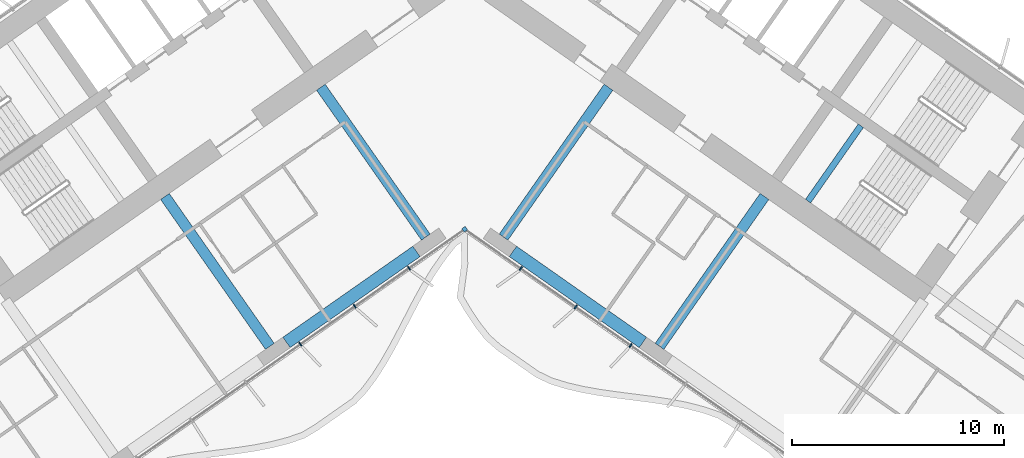
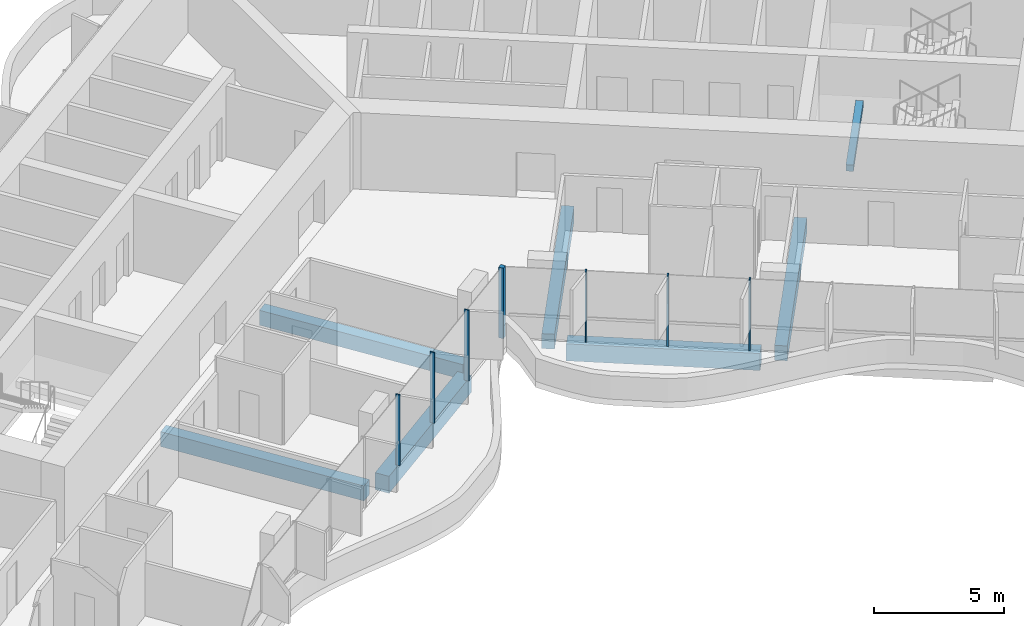
# One storey, part 6 of 23: 7 beams, 7 members, 1 element without a shape of its own.
"""IFC4 building model written with IfcOpenShell, lengths in metres."""

from ifc_helpers import new_model, si_unit, direction, frame, origin, origin_2d, place, context, subcontext, project, spatial, rectangle, extrude, material, material_profile, profile_set, type_object, element, aggregate, save


model = new_model("IFC4")

# Units and contexts
model_context = context("Model", 3, precision=1e-05, world=origin(), true_north=direction((0.0, 1.0)))
body_context = subcontext(model_context, "Body", "Model", "MODEL_VIEW")
ifc_project = project(units=[si_unit("LENGTHUNIT", "METRE"), si_unit("AREAUNIT", "SQUARE_METRE"), si_unit("VOLUMEUNIT", "CUBIC_METRE"), si_unit("PLANEANGLEUNIT", "RADIAN"), si_unit("MASSUNIT", "GRAM", prefix="KILO")], contexts=[model_context])

# Site, building, storey
site_placement = place(None, origin())
site = spatial("IfcSite", under=ifc_project, at=site_placement, CompositionType="ELEMENT")
building_placement = place(site_placement, origin())
building = spatial("IfcBuilding", under=site, at=building_placement, Name="Tel Ilan Convention Tower", CompositionType="ELEMENT")
storey_placement = place(building_placement, frame((0.0, 0.0, 94.10009765625)))
storey = spatial("IfcBuildingStorey", under=building, at=storey_placement, Name="L19", CompositionType="ELEMENT", Elevation=94.10009765625)

# Beams
ifc_material_1 = material(Name="Concrete C40/50", Category="concrete")
ifc_material_profile_1 = material_profile(ifc_material_1, rectangle(XDim=0.5, YDim=0.699951171875, at=origin_2d()), Name="RC 500x700")
ifc_profile_set_1 = profile_set([ifc_material_profile_1], Name="Concrete C40/50")
beam_type_1 = type_object("IfcBeamType", Name="Beam RC 500x700 Concrete C40/50", PredefinedType="BEAM", material=ifc_profile_set_1)
for number, where, z_axis, x_axis, name in (
    (1, (-1.83740234375, -13.06689453125, -0.630126953125), (-0.573574099654, 0.819153680457, 0.0), (-0.819153680457, -0.573574099654, 0.0), "L19 beam W-W-F1-core"),
    (2, (-9.209716796875, -18.229248046875, -0.630126953125), (-0.573574099654, 0.819153680457, 0.0), (-0.819153680457, -0.573574099654, 0.0), "L19 beam W-W-F2-core"),
    (3, (1.83740234375, -13.06689453125, -0.630126953125), (0.573574099654, 0.819153680457, 0.0), (-0.819153680457, 0.573574099654, 0.0), "L19 beam E-E-F1-core"),
    (4, (9.209716796875, -18.229248046875, -0.630126953125), (0.573574099654, 0.819153680457, 0.0), (-0.819153680457, 0.573574099654, 0.0), "L19 beam E-E-F2-core"),
):
    element("IfcBeam", number, at=place(storey_placement, frame(where, z_axis=z_axis, x_axis=x_axis)), inside=storey, type_object=beam_type_1, Name=name, PredefinedType="BEAM", context=body_context, shape_type="SweptSolid", body=[
        extrude(rectangle(XDim=0.5, YDim=0.699951171875, at=origin_2d()), origin(), (0.0, 0.0, 1.0), 8.64990234375),
    ])
ifc_material_2 = material(Name="Concrete C40/50", Category="concrete")
ifc_material_profile_2 = material_profile(ifc_material_2, rectangle(XDim=0.60009765625, YDim=0.800048828125, at=origin_2d()), Name="RC 600x800")
ifc_profile_set_2 = profile_set([ifc_material_profile_2], Name="Concrete C40/50")
beam_type_2 = type_object("IfcBeamType", Name="Beam RC 600x800 Concrete C40/50", PredefinedType="BEAM", material=ifc_profile_set_2)
for number, where, z_axis, x_axis, name in (
    (5, (-2.279541015625, -13.742919921875, -0.68017578125), (-0.819147803225, -0.57358249317, 0.0), (0.57358249317, -0.819147803225, 0.0), "L19 beam W-W-F1-W-F2"),
    (6, (2.279541015625, -13.742919921875, -0.68017578125), (0.819147803225, -0.57358249317, 0.0), (0.57358249317, 0.819147803225, 0.0), "L19 beam E-E-F1-E-F2"),
):
    element("IfcBeam", number, at=place(storey_placement, frame(where, z_axis=z_axis, x_axis=x_axis)), inside=storey, type_object=beam_type_2, Name=name, PredefinedType="BEAM", context=body_context, shape_type="SweptSolid", body=[
        extrude(rectangle(XDim=0.60009765625, YDim=0.800048828125, at=origin_2d()), origin(), (0.0, 0.0, 1.0), 7.500244140625),
    ])

# Curtain wall, members
ifc_material_3 = material(Name="Aluminium, bronze anodised", Category="aluminium")
curtain_wall_type = type_object("IfcCurtainWallType", Name="CW1 UNITISED CURTAIN WALL, HOTEL TINTED GLASS", PredefinedType="NOTDEFINED", material=ifc_material_3)
curtain_wall_placement = place(storey_placement, origin())
curtain_wall = element("IfcCurtainWall", 7, at=curtain_wall_placement, inside=storey, type_object=curtain_wall_type, Name="Curtain wall CW1-17.02", PredefinedType="NOTDEFINED")
ifc_material_4 = material(Name="Aluminium, bronze anodised", Category="aluminium")
ifc_material_profile_3 = material_profile(ifc_material_4, rectangle(XDim=0.199951171875, YDim=0.199951171875, at=origin_2d()), Name="CW CORNER MULLION 200x200")
ifc_profile_set_3 = profile_set([ifc_material_profile_3], Name="Aluminium, bronze anodised")
member_type_1 = type_object("IfcMemberType", Name="CW CORNER MULLION 200x200", PredefinedType="MULLION", material=ifc_profile_set_3)
member_1_placement = place(storey_placement, frame((0.0, -12.696044921875, 0.0), z_axis=(0.0, 0.0, 1.0), x_axis=(0.819152044289, 0.573576436351, 0.0)))
member_1 = element("IfcMember", 8, at=member_1_placement, type_object=member_type_1, Name="Corner mullion", PredefinedType="MULLION", context=body_context, shape_type="SweptSolid", body=[
    extrude(rectangle(XDim=0.199951171875, YDim=0.199951171875, at=origin_2d()), origin(), (0.0, 0.0, 1.0), 3.31982421875),
])
ifc_material_5 = material(Name="Aluminium, bronze anodised", Category="aluminium")
ifc_material_profile_4 = material_profile(ifc_material_5, rectangle(XDim=0.06005859375, YDim=0.199951171875, at=origin_2d()), Name="CW MULLION 60x200")
ifc_profile_set_4 = profile_set([ifc_material_profile_4], Name="Aluminium, bronze anodised")
member_type_2 = type_object("IfcMemberType", Name="CW MULLION 60x200", PredefinedType="MULLION", material=ifc_profile_set_4)
member_2_placement = place(storey_placement, frame((-7.76708984375, -18.134765625, 0.0), z_axis=(0.0, 0.0, 1.0), x_axis=(0.819152044289, 0.573576436351, 0.0)))
member_2 = element("IfcMember", 9, at=member_2_placement, type_object=member_type_2, Name="Mullion", PredefinedType="MULLION", context=body_context, shape_type="SweptSolid", body=[
    extrude(rectangle(XDim=0.06005859375, YDim=0.199951171875, at=origin_2d()), origin(), (0.0, 0.0, 1.0), 3.31982421875),
])
member_3_placement = place(storey_placement, frame((-5.197265625, -16.335205078125, 0.0), z_axis=(0.0, 0.0, 1.0), x_axis=(0.819152044289, 0.573576436351, 0.0)))
member_3 = element("IfcMember", 10, at=member_3_placement, type_object=member_type_2, Name="Mullion", PredefinedType="MULLION", context=body_context, shape_type="SweptSolid", body=[
    extrude(rectangle(XDim=0.06005859375, YDim=0.199951171875, at=origin_2d()), origin(), (0.0, 0.0, 1.0), 3.31982421875),
])
member_4_placement = place(storey_placement, frame((-2.627197265625, -14.53564453125, 0.0), z_axis=(0.0, 0.0, 1.0), x_axis=(0.819152044289, 0.573576436351, 0.0)))
member_4 = element("IfcMember", 11, at=member_4_placement, type_object=member_type_2, Name="Mullion", PredefinedType="MULLION", context=body_context, shape_type="SweptSolid", body=[
    extrude(rectangle(XDim=0.06005859375, YDim=0.199951171875, at=origin_2d()), origin(), (0.0, 0.0, 1.0), 3.31982421875),
])
member_5_placement = place(storey_placement, frame((2.65234375, -14.55322265625, 0.0), z_axis=(0.0, 0.0, 1.0), x_axis=(0.819152044289, -0.573576436351, 0.0)))
member_5 = element("IfcMember", 12, at=member_5_placement, type_object=member_type_2, Name="Mullion", PredefinedType="MULLION", context=body_context, shape_type="SweptSolid", body=[
    extrude(rectangle(XDim=0.06005859375, YDim=0.199951171875, at=origin_2d()), origin(), (0.0, 0.0, 1.0), 3.31982421875),
])
member_6_placement = place(storey_placement, frame((5.24755859375, -16.370361328125, 0.0), z_axis=(0.0, 0.0, 1.0), x_axis=(0.819152044289, -0.573576436351, 0.0)))
member_6 = element("IfcMember", 13, at=member_6_placement, type_object=member_type_2, Name="Mullion", PredefinedType="MULLION", context=body_context, shape_type="SweptSolid", body=[
    extrude(rectangle(XDim=0.06005859375, YDim=0.199951171875, at=origin_2d()), origin(), (0.0, 0.0, 1.0), 3.31982421875),
])
member_7_placement = place(storey_placement, frame((7.842529296875, -18.1875, 0.0), z_axis=(0.0, 0.0, 1.0), x_axis=(0.819152044289, -0.573576436351, 0.0)))
member_7 = element("IfcMember", 14, at=member_7_placement, type_object=member_type_2, Name="Mullion", PredefinedType="MULLION", context=body_context, shape_type="SweptSolid", body=[
    extrude(rectangle(XDim=0.06005859375, YDim=0.199951171875, at=origin_2d()), origin(), (0.0, 0.0, 1.0), 3.31982421875),
])
aggregate(curtain_wall, [member_2, member_3, member_4, member_1, member_5, member_6, member_7])

# Beam
ifc_material_6 = material(Name="Concrete C40/50", Category="concrete")
ifc_material_profile_5 = material_profile(ifc_material_6, rectangle(XDim=0.300048828125, YDim=0.300048828125, at=origin_2d()), Name="RC 300x300")
ifc_profile_set_5 = profile_set([ifc_material_profile_5], Name="Concrete C40/50")
beam_type_3 = type_object("IfcBeamType", Name="Landing Beam RC 300x300 Concrete C40/50", PredefinedType="BEAM", material=ifc_profile_set_5)
beam_placement = place(storey_placement, frame((18.726806640625, -7.80224609375, 1.449951171875), z_axis=(-0.573594173421, -0.819139624372, 0.0), x_axis=(0.819139624372, -0.573594173421, 0.0)))
element("IfcBeam", 15, at=beam_placement, inside=storey, type_object=beam_type_3, Name="S4 landing beam L19.1", PredefinedType="BEAM", context=body_context, shape_type="SweptSolid", body=[
    extrude(rectangle(XDim=0.300048828125, YDim=0.300048828125, at=origin_2d()), origin(), (0.0, 0.0, 1.0), 4.349853515625),
])

save(model, "model.ifc")
